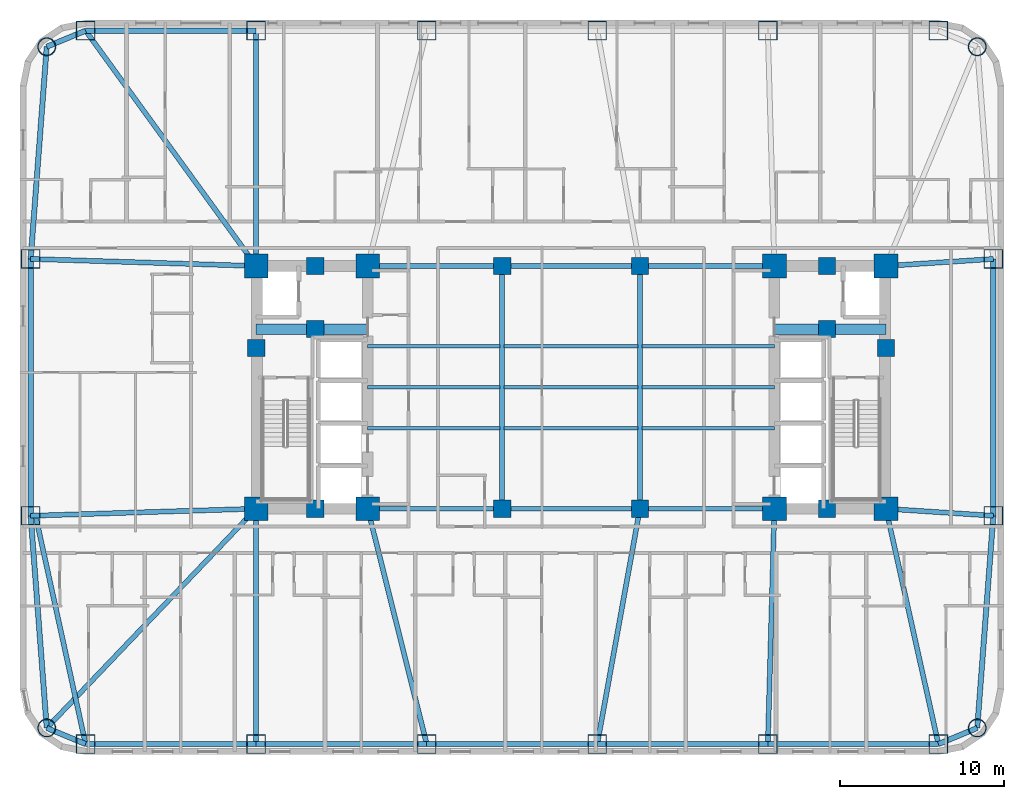
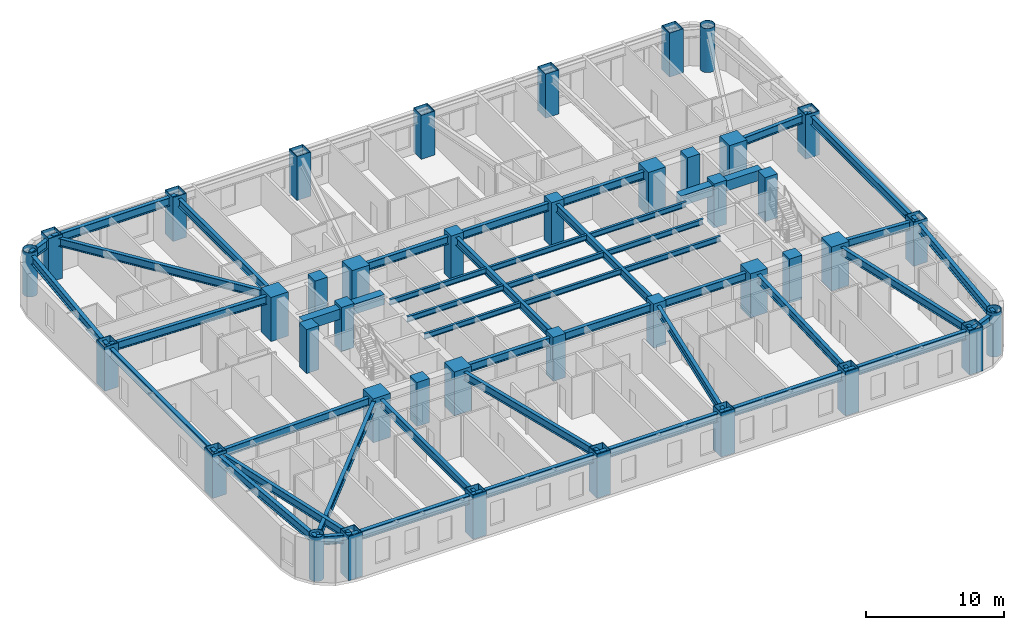
# One storey, part 1 of 11: 46 beams, 40 columns.
"""IFC4 building model written with IfcOpenShell, lengths in metres."""

from ifc_helpers import new_model, si_unit, direction, frame, origin, origin_2d, place, context, subcontext, project, spatial, rectangle, hollow_rectangle, hollow_circle, i_section, extrude, material, material_profile, profile_set, type_object, element, save


model = new_model("IFC4")

# Units and contexts
model_context = context("Model", 3, precision=1e-05, world=origin(), true_north=direction((0.0, 1.0)))
body_context = subcontext(model_context, "Body", "Model", "MODEL_VIEW")
ifc_project = project(units=[si_unit("LENGTHUNIT", "METRE"), si_unit("AREAUNIT", "SQUARE_METRE"), si_unit("VOLUMEUNIT", "CUBIC_METRE"), si_unit("PLANEANGLEUNIT", "RADIAN"), si_unit("MASSUNIT", "GRAM", prefix="KILO")], contexts=[model_context])

# Site, building, storey
site_placement = place(None, origin())
site = spatial("IfcSite", under=ifc_project, at=site_placement, CompositionType="ELEMENT")
building_placement = place(site_placement, origin())
building = spatial("IfcBuilding", under=site, at=building_placement, Name="Voryun Gate Residences", CompositionType="ELEMENT")
storey_placement = place(building_placement, frame((0.0, 0.0, 68.89990234375)))
storey = spatial("IfcBuildingStorey", under=building, at=storey_placement, Name="L16", CompositionType="ELEMENT", Elevation=68.89990234375)

# Columns
ifc_material_1 = material(Name="Concrete C50/60", Category="concrete")
ifc_material_profile_1 = material_profile(ifc_material_1, rectangle(XDim=1.050048828125, YDim=1.050048828125, at=origin_2d()), Name="RC-1050x1050")
ifc_profile_set_1 = profile_set([ifc_material_profile_1], Name="Concrete C50/60")
column_type_1 = type_object("IfcColumnType", Name="COL_CORE_1050", PredefinedType="COLUMN", material=ifc_profile_set_1)
for number, where, z_axis, x_axis, name in (
    (1, (-19.199951171875, 2.39990234375, 0.0), (0.0, 0.0, 1.0), (1.0, 0.0, 0.0), "L16 Core boundary column WC-MW"),
    (2, (-15.60009765625, -7.39990234375, 0.0), (0.0, 0.0, 1.0), (1.0, 0.0, 0.0), "L16 Core boundary column WC-SM"),
    (3, (-15.60009765625, 7.39990234375, 0.0), (0.0, 0.0, 1.0), (1.0, 0.0, 0.0), "L16 Core boundary column WC-NM"),
    (4, (-15.60009765625, 3.550048828125, 0.0), (0.0, 0.0, 1.0), (1.0, 0.0, 0.0), "L16 Core boundary column WC-MM"),
    (5, (15.60009765625, 3.550048828125, 0.0), (0.0, 0.0, 1.0), (1.0, 0.0, 0.0), "L16 Core boundary column EC-MM"),
    (6, (15.60009765625, -7.39990234375, 0.0), (0.0, 0.0, 1.0), (1.0, 0.0, 0.0), "L16 Core boundary column EC-SM"),
    (7, (15.60009765625, 7.39990234375, 0.0), (0.0, 0.0, 1.0), (1.0, 0.0, 0.0), "L16 Core boundary column EC-NM"),
    (8, (19.199951171875, 2.39990234375, 0.0), (0.0, 0.0, 1.0), (1.0, 0.0, 0.0), "L16 Core boundary column EC-ME"),
    (9, (-4.199951171875, -7.39990234375, 0.0), (0.0, 0.0, 1.0), (1.0, 0.0, 0.0), "L16 Interior spine column SP-WS"),
    (10, (-4.199951171875, 7.39990234375, 0.0), (0.0, 0.0, 1.0), (1.0, 0.0, 0.0), "L16 Interior spine column SP-WN"),
    (11, (4.199951171875, -7.39990234375, 0.0), (0.0, 0.0, 1.0), (1.0, 0.0, 0.0), "L16 Interior spine column SP-ES"),
    (12, (4.199951171875, 7.39990234375, 0.0), (0.0, 0.0, 1.0), (1.0, 0.0, 0.0), "L16 Interior spine column SP-EN"),
):
    element("IfcColumn", number, at=place(storey_placement, frame(where, z_axis=z_axis, x_axis=x_axis)), inside=storey, type_object=column_type_1, Name=name, PredefinedType="COLUMN", context=body_context, shape_type="SweptSolid", body=[
        extrude(rectangle(XDim=1.050048828125, YDim=1.050048828125, at=origin_2d()), origin(), (0.0, 0.0, 1.0), 3.900146484375),
    ])
ifc_material_2 = material(Name="Steel SM420", Category="steel")
ifc_material_profile_2 = material_profile(ifc_material_2, hollow_circle(Radius=0.550048828125, WallThickness=0.035888671875, at=origin_2d()), Name="CHS-1100x36")
ifc_profile_set_2 = profile_set([ifc_material_profile_2], Name="Steel SM420")
column_type_2 = type_object("IfcColumnType", Name="COL_CRN_1100", PredefinedType="COLUMN", material=ifc_profile_set_2)
for number, where, z_axis, x_axis, name in (
    (13, (24.768798828125, -20.768798828125, 0.0), (0.0, 0.0, 1.0), (1.0, 0.0, 0.0), "L16 Exoskeleton column CSE"),
    (14, (24.768798828125, 20.768798828125, 0.0), (0.0, 0.0, 1.0), (1.0, 0.0, 0.0), "L16 Exoskeleton column CNE"),
    (15, (-31.96875, 20.768798828125, 0.0), (0.0, 0.0, 1.0), (1.0, 0.0, 0.0), "L16 Exoskeleton column CNW"),
    (16, (-31.96875, -20.768798828125, 0.0), (0.0, 0.0, 1.0), (1.0, 0.0, 0.0), "L16 Exoskeleton column CSW"),
):
    element("IfcColumn", number, at=place(storey_placement, frame(where, z_axis=z_axis, x_axis=x_axis)), inside=storey, type_object=column_type_2, Name=name, PredefinedType="COLUMN", context=body_context, shape_type="SweptSolid", body=[
        extrude(hollow_circle(Radius=0.550048828125, WallThickness=0.035888671875, at=origin_2d()), origin(), (0.0, 0.0, 1.0), 3.900146484375),
    ])
ifc_material_3 = material(Name="Steel SM420", Category="steel")
ifc_material_profile_3 = material_profile(ifc_material_3, hollow_rectangle(XDim=1.14990234375, YDim=1.14990234375, WallThickness=0.0400390625, at=origin_2d()), Name="BOX-1150x1150x40")
ifc_profile_set_3 = profile_set([ifc_material_profile_3], Name="Steel SM420")
column_type_3 = type_object("IfcColumnType", Name="COL_EXO_B1", PredefinedType="COLUMN", material=ifc_profile_set_3)
for number, where, z_axis, x_axis, name in (
    (17, (-29.60009765625, -21.75, 0.0), (0.0, 0.0, 1.0), (1.0, 0.0, 0.0), "L16 Exoskeleton column S1"),
    (18, (-19.199951171875, -21.75, 0.0), (0.0, 0.0, 1.0), (1.0, 0.0, 0.0), "L16 Exoskeleton column S2"),
    (19, (-8.800048828125, -21.75, 0.0), (0.0, 0.0, 1.0), (1.0, 0.0, 0.0), "L16 Exoskeleton column S3"),
    (20, (1.60009765625, -21.75, 0.0), (0.0, 0.0, 1.0), (1.0, 0.0, 0.0), "L16 Exoskeleton column S4"),
    (21, (12.0, -21.75, 0.0), (0.0, 0.0, 1.0), (1.0, 0.0, 0.0), "L16 Exoskeleton column S5"),
    (22, (22.39990234375, -21.75, 0.0), (0.0, 0.0, 1.0), (1.0, 0.0, 0.0), "L16 Exoskeleton column S6"),
    (23, (25.75, -7.830078125, 0.0), (0.0, 0.0, 1.0), (1.0, 0.0, 0.0), "L16 Exoskeleton column E1"),
    (24, (25.75, 7.830078125, 0.0), (0.0, 0.0, 1.0), (1.0, 0.0, 0.0), "L16 Exoskeleton column E2"),
    (25, (22.39990234375, 21.75, 0.0), (0.0, 0.0, 1.0), (1.0, 0.0, 0.0), "L16 Exoskeleton column N1"),
    (26, (12.0, 21.75, 0.0), (0.0, 0.0, 1.0), (1.0, 0.0, 0.0), "L16 Exoskeleton column N2"),
    (27, (1.60009765625, 21.75, 0.0), (0.0, 0.0, 1.0), (1.0, 0.0, 0.0), "L16 Exoskeleton column N3"),
    (28, (-8.800048828125, 21.75, 0.0), (0.0, 0.0, 1.0), (1.0, 0.0, 0.0), "L16 Exoskeleton column N4"),
    (29, (-19.199951171875, 21.75, 0.0), (0.0, 0.0, 1.0), (1.0, 0.0, 0.0), "L16 Exoskeleton column N5"),
    (30, (-29.60009765625, 21.75, 0.0), (0.0, 0.0, 1.0), (1.0, 0.0, 0.0), "L16 Exoskeleton column N6"),
    (31, (-32.949951171875, 7.830078125, 0.0), (0.0, 0.0, 1.0), (1.0, 0.0, 0.0), "L16 Exoskeleton column W1"),
    (32, (-32.949951171875, -7.830078125, 0.0), (0.0, 0.0, 1.0), (1.0, 0.0, 0.0), "L16 Exoskeleton column W2"),
):
    element("IfcColumn", number, at=place(storey_placement, frame(where, z_axis=z_axis, x_axis=x_axis)), inside=storey, type_object=column_type_3, Name=name, PredefinedType="COLUMN", context=body_context, shape_type="SweptSolid", body=[
        extrude(hollow_rectangle(XDim=1.14990234375, YDim=1.14990234375, WallThickness=0.0400390625, at=origin_2d()), origin(), (0.0, 0.0, 1.0), 3.900146484375),
    ])
ifc_material_4 = material(Name="Concrete C60/75", Category="concrete")
ifc_material_profile_4 = material_profile(ifc_material_4, rectangle(XDim=1.449951171875, YDim=1.449951171875, at=origin_2d()), Name="RC-1450x1450")
ifc_profile_set_4 = profile_set([ifc_material_profile_4], Name="Concrete C60/75")
column_type_4 = type_object("IfcColumnType", Name="COL_MEGA_1450", PredefinedType="COLUMN", material=ifc_profile_set_4)
for number, where, z_axis, x_axis, name in (
    (33, (-19.199951171875, -7.39990234375, 0.0), (0.0, 0.0, 1.0), (1.0, 0.0, 0.0), "L16 Core boundary column WC-SW"),
    (34, (-19.199951171875, 7.39990234375, 0.0), (0.0, 0.0, 1.0), (1.0, 0.0, 0.0), "L16 Core boundary column WC-NW"),
    (35, (-12.39990234375, -7.39990234375, 0.0), (0.0, 0.0, 1.0), (1.0, 0.0, 0.0), "L16 Core boundary column WC-SE"),
    (36, (-12.39990234375, 7.39990234375, 0.0), (0.0, 0.0, 1.0), (1.0, 0.0, 0.0), "L16 Core boundary column WC-NE"),
    (37, (12.39990234375, -7.39990234375, 0.0), (0.0, 0.0, 1.0), (1.0, 0.0, 0.0), "L16 Core boundary column EC-SW"),
    (38, (12.39990234375, 7.39990234375, 0.0), (0.0, 0.0, 1.0), (1.0, 0.0, 0.0), "L16 Core boundary column EC-NW"),
    (39, (19.199951171875, -7.39990234375, 0.0), (0.0, 0.0, 1.0), (1.0, 0.0, 0.0), "L16 Core boundary column EC-SE"),
    (40, (19.199951171875, 7.39990234375, 0.0), (0.0, 0.0, 1.0), (1.0, 0.0, 0.0), "L16 Core boundary column EC-NE"),
):
    element("IfcColumn", number, at=place(storey_placement, frame(where, z_axis=z_axis, x_axis=x_axis)), inside=storey, type_object=column_type_4, Name=name, PredefinedType="COLUMN", context=body_context, shape_type="SweptSolid", body=[
        extrude(rectangle(XDim=1.449951171875, YDim=1.449951171875, at=origin_2d()), origin(), (0.0, 0.0, 1.0), 3.900146484375),
    ])

# Beams
ifc_material_5 = material(Name="Concrete C60/75", Category="concrete")
ifc_material_profile_5 = material_profile(ifc_material_5, rectangle(XDim=0.64990234375, YDim=0.89990234375, at=origin_2d()), Name="RC-650x900")
ifc_profile_set_5 = profile_set([ifc_material_profile_5], Name="Concrete C60/75")
beam_type_1 = type_object("IfcBeamType", Name="BM_COUP_RC900", PredefinedType="LINTEL", material=ifc_profile_set_5)
for number, where, z_axis, x_axis, name in (
    (41, (-19.199951171875, 3.550048828125, 3.2001953125), (1.0, 0.0, 0.0), (0.0, 1.0, 0.0), "BM-L16-WC1"),
    (42, (12.39990234375, 3.550048828125, 3.2001953125), (1.0, 0.0, 0.0), (0.0, 1.0, 0.0), "BM-L16-EC1"),
):
    element("IfcBeam", number, at=place(storey_placement, frame(where, z_axis=z_axis, x_axis=x_axis)), inside=storey, type_object=beam_type_1, Name=name, PredefinedType="LINTEL", context=body_context, shape_type="SweptSolid", body=[
        extrude(rectangle(XDim=0.64990234375, YDim=0.89990234375, at=origin_2d()), origin(), (0.0, 0.0, 1.0), 6.800048828125),
    ])
ifc_material_6 = material(Name="Steel SM355", Category="steel")
ifc_material_profile_6 = material_profile(ifc_material_6, i_section(OverallWidth=0.320068359375, OverallDepth=0.75, WebThickness=0.01611328125, FlangeThickness=0.028076171875, FilletRadius=0.01806640625, at=origin_2d()), Name="H-750x320x16x28")
ifc_profile_set_6 = profile_set([ifc_material_profile_6], Name="Steel SM355")
beam_type_2 = type_object("IfcBeamType", Name="BM_EXO_SPANDREL_L", PredefinedType="SPANDREL", material=ifc_profile_set_6)
beam_1_placement = place(storey_placement, frame((-29.60009765625, -21.75, 3.275146484375), z_axis=(1.0, 0.0, 0.0), x_axis=(0.0, 1.0, 0.0)))
element("IfcBeam", 43, at=beam_1_placement, inside=storey, type_object=beam_type_2, Name="BM-L16-SPAND-01", PredefinedType="SPANDREL", context=body_context, shape_type="SweptSolid", body=[
    extrude(i_section(OverallWidth=0.320068359375, OverallDepth=0.75, WebThickness=0.01611328125, FlangeThickness=0.028076171875, FilletRadius=0.01806640625, at=origin_2d()), origin(), (0.0, 0.0, 1.0), 10.400146484375),
])
beam_2_placement = place(storey_placement, frame((-19.199951171875, -21.75, 3.275146484375), z_axis=(1.0, 0.0, 0.0), x_axis=(0.0, 1.0, 0.0)))
element("IfcBeam", 44, at=beam_2_placement, inside=storey, type_object=beam_type_2, Name="BM-L16-SPAND-02", PredefinedType="SPANDREL", context=body_context, shape_type="SweptSolid", body=[
    extrude(i_section(OverallWidth=0.320068359375, OverallDepth=0.75, WebThickness=0.01611328125, FlangeThickness=0.028076171875, FilletRadius=0.01806640625, at=origin_2d()), origin(), (0.0, 0.0, 1.0), 10.39990234375),
])
beam_3_placement = place(storey_placement, frame((-8.800048828125, -21.75, 3.275146484375), z_axis=(1.0, 0.0, 0.0), x_axis=(0.0, 1.0, 0.0)))
element("IfcBeam", 45, at=beam_3_placement, inside=storey, type_object=beam_type_2, Name="BM-L16-SPAND-03", PredefinedType="SPANDREL", context=body_context, shape_type="SweptSolid", body=[
    extrude(i_section(OverallWidth=0.320068359375, OverallDepth=0.75, WebThickness=0.01611328125, FlangeThickness=0.028076171875, FilletRadius=0.01806640625, at=origin_2d()), origin(), (0.0, 0.0, 1.0), 10.400146484375),
])
for number, where, z_axis, x_axis, name in (
    (46, (1.60009765625, -21.75, 3.275146484375), (1.0, 0.0, 0.0), (0.0, 1.0, 0.0), "BM-L16-SPAND-04"),
    (47, (12.0, -21.75, 3.275146484375), (1.0, 0.0, 0.0), (0.0, 1.0, 0.0), "BM-L16-SPAND-05"),
):
    element("IfcBeam", number, at=place(storey_placement, frame(where, z_axis=z_axis, x_axis=x_axis)), inside=storey, type_object=beam_type_2, Name=name, PredefinedType="SPANDREL", context=body_context, shape_type="SweptSolid", body=[
        extrude(i_section(OverallWidth=0.320068359375, OverallDepth=0.75, WebThickness=0.01611328125, FlangeThickness=0.028076171875, FilletRadius=0.01806640625, at=origin_2d()), origin(), (0.0, 0.0, 1.0), 10.39990234375),
    ])
beam_4_placement = place(storey_placement, frame((22.39990234375, -21.75, 3.275146484375), z_axis=(0.923883376753, 0.382674151414, 0.0), x_axis=(-0.382674151414, 0.923883376753, 0.0)))
element("IfcBeam", 48, at=beam_4_placement, inside=storey, type_object=beam_type_2, Name="BM-L16-SPAND-06", PredefinedType="SPANDREL", context=body_context, shape_type="SweptSolid", body=[
    extrude(i_section(OverallWidth=0.320068359375, OverallDepth=0.75, WebThickness=0.01611328125, FlangeThickness=0.028076171875, FilletRadius=0.01806640625, at=origin_2d()), origin(), (0.0, 0.0, 1.0), 2.56396484375),
])
beam_5_placement = place(storey_placement, frame((24.768798828125, -20.768798828125, 3.275146484375), z_axis=(0.075617360159, 0.997136908776, 0.0), x_axis=(-0.997136908776, 0.075617360159, 0.0)))
element("IfcBeam", 49, at=beam_5_placement, inside=storey, type_object=beam_type_2, Name="BM-L16-SPAND-07", PredefinedType="SPANDREL", context=body_context, shape_type="SweptSolid", body=[
    extrude(i_section(OverallWidth=0.320068359375, OverallDepth=0.75, WebThickness=0.01611328125, FlangeThickness=0.028076171875, FilletRadius=0.01806640625, at=origin_2d()), origin(), (0.0, 0.0, 1.0), 12.975830078125),
])
beam_6_placement = place(storey_placement, frame((25.75, -7.830078125, 3.275146484375), z_axis=(0.0, 1.0, 0.0), x_axis=(-1.0, 0.0, 0.0)))
element("IfcBeam", 50, at=beam_6_placement, inside=storey, type_object=beam_type_2, Name="BM-L16-SPAND-08", PredefinedType="SPANDREL", context=body_context, shape_type="SweptSolid", body=[
    extrude(i_section(OverallWidth=0.320068359375, OverallDepth=0.75, WebThickness=0.01611328125, FlangeThickness=0.028076171875, FilletRadius=0.01806640625, at=origin_2d()), origin(), (0.0, 0.0, 1.0), 15.66015625),
])
beam_7_placement = place(storey_placement, frame((-19.199951171875, 21.75, 3.275146484375), z_axis=(-1.0, 0.0, 0.0), x_axis=(0.0, -1.0, 0.0)))
element("IfcBeam", 51, at=beam_7_placement, inside=storey, type_object=beam_type_2, Name="BM-L16-SPAND-15", PredefinedType="SPANDREL", context=body_context, shape_type="SweptSolid", body=[
    extrude(i_section(OverallWidth=0.320068359375, OverallDepth=0.75, WebThickness=0.01611328125, FlangeThickness=0.028076171875, FilletRadius=0.01806640625, at=origin_2d()), origin(), (0.0, 0.0, 1.0), 10.400146484375),
])
beam_8_placement = place(storey_placement, frame((-29.60009765625, 21.75, 3.275146484375), z_axis=(-0.92386943149, -0.382707817477, 0.0), x_axis=(0.382707817477, -0.92386943149, 0.0)))
element("IfcBeam", 52, at=beam_8_placement, inside=storey, type_object=beam_type_2, Name="BM-L16-SPAND-16", PredefinedType="SPANDREL", context=body_context, shape_type="SweptSolid", body=[
    extrude(i_section(OverallWidth=0.320068359375, OverallDepth=0.75, WebThickness=0.01611328125, FlangeThickness=0.028076171875, FilletRadius=0.01806640625, at=origin_2d()), origin(), (0.0, 0.0, 1.0), 2.563720703125),
])
beam_9_placement = place(storey_placement, frame((-31.96875, 20.768798828125, 3.275146484375), z_axis=(-0.075617360159, -0.997136908776, 0.0), x_axis=(0.997136908776, -0.075617360159, 0.0)))
element("IfcBeam", 53, at=beam_9_placement, inside=storey, type_object=beam_type_2, Name="BM-L16-SPAND-17", PredefinedType="SPANDREL", context=body_context, shape_type="SweptSolid", body=[
    extrude(i_section(OverallWidth=0.320068359375, OverallDepth=0.75, WebThickness=0.01611328125, FlangeThickness=0.028076171875, FilletRadius=0.01806640625, at=origin_2d()), origin(), (0.0, 0.0, 1.0), 12.975830078125),
])
beam_10_placement = place(storey_placement, frame((-32.949951171875, 7.830078125, 3.275146484375), z_axis=(0.0, -1.0, 0.0), x_axis=(1.0, 0.0, 0.0)))
element("IfcBeam", 54, at=beam_10_placement, inside=storey, type_object=beam_type_2, Name="BM-L16-SPAND-18", PredefinedType="SPANDREL", context=body_context, shape_type="SweptSolid", body=[
    extrude(i_section(OverallWidth=0.320068359375, OverallDepth=0.75, WebThickness=0.01611328125, FlangeThickness=0.028076171875, FilletRadius=0.01806640625, at=origin_2d()), origin(), (0.0, 0.0, 1.0), 15.66015625),
])
beam_11_placement = place(storey_placement, frame((-32.949951171875, -7.830078125, 3.275146484375), z_axis=(0.075617360159, -0.997136908776, 0.0), x_axis=(0.997136908776, 0.075617360159, 0.0)))
element("IfcBeam", 55, at=beam_11_placement, inside=storey, type_object=beam_type_2, Name="BM-L16-SPAND-19", PredefinedType="SPANDREL", context=body_context, shape_type="SweptSolid", body=[
    extrude(i_section(OverallWidth=0.320068359375, OverallDepth=0.75, WebThickness=0.01611328125, FlangeThickness=0.028076171875, FilletRadius=0.01806640625, at=origin_2d()), origin(), (0.0, 0.0, 1.0), 12.975830078125),
])
beam_12_placement = place(storey_placement, frame((-31.96875, -20.768798828125, 3.275146484375), z_axis=(0.92386943149, -0.382707817477, 0.0), x_axis=(0.382707817477, 0.92386943149, 0.0)))
element("IfcBeam", 56, at=beam_12_placement, inside=storey, type_object=beam_type_2, Name="BM-L16-SPAND-20", PredefinedType="SPANDREL", context=body_context, shape_type="SweptSolid", body=[
    extrude(i_section(OverallWidth=0.320068359375, OverallDepth=0.75, WebThickness=0.01611328125, FlangeThickness=0.028076171875, FilletRadius=0.01806640625, at=origin_2d()), origin(), (0.0, 0.0, 1.0), 2.563720703125),
])
ifc_material_7 = material(Name="Steel SM355", Category="steel")
ifc_material_profile_7 = material_profile(ifc_material_7, i_section(OverallWidth=0.300048828125, OverallDepth=0.699951171875, WebThickness=0.012939453125, FlangeThickness=0.02392578125, FilletRadius=0.01806640625, at=origin_2d()), Name="H-700x300x13x24")
ifc_profile_set_7 = profile_set([ifc_material_profile_7], Name="Steel SM355")
beam_type_3 = type_object("IfcBeamType", Name="BM_GIRD_700", PredefinedType="USERDEFINED", material=ifc_profile_set_7)
beam_13_placement = place(storey_placement, frame((-12.39990234375, -7.39990234375, 3.300048828125), z_axis=(1.0, 0.0, 0.0), x_axis=(0.0, 1.0, 0.0)))
element("IfcBeam", 57, at=beam_13_placement, inside=storey, type_object=beam_type_3, Name="BM-L16-SPG1-S", ObjectType="GIRDER", PredefinedType="USERDEFINED", context=body_context, shape_type="SweptSolid", body=[
    extrude(i_section(OverallWidth=0.300048828125, OverallDepth=0.699951171875, WebThickness=0.012939453125, FlangeThickness=0.02392578125, FilletRadius=0.01806640625, at=origin_2d()), origin(), (0.0, 0.0, 1.0), 8.199951171875),
])
beam_14_placement = place(storey_placement, frame((-4.199951171875, -7.39990234375, 3.300048828125), z_axis=(1.0, 0.0, 0.0), x_axis=(0.0, 1.0, 0.0)))
element("IfcBeam", 58, at=beam_14_placement, inside=storey, type_object=beam_type_3, Name="BM-L16-SPG2-S", ObjectType="GIRDER", PredefinedType="USERDEFINED", context=body_context, shape_type="SweptSolid", body=[
    extrude(i_section(OverallWidth=0.300048828125, OverallDepth=0.699951171875, WebThickness=0.012939453125, FlangeThickness=0.02392578125, FilletRadius=0.01806640625, at=origin_2d()), origin(), (0.0, 0.0, 1.0), 8.39990234375),
])
for number, where, z_axis, x_axis, name in (
    (59, (4.199951171875, -7.39990234375, 3.300048828125), (1.0, 0.0, 0.0), (0.0, 1.0, 0.0), "BM-L16-SPG3-S"),
    (60, (-12.39990234375, 7.39990234375, 3.300048828125), (1.0, 0.0, 0.0), (0.0, 1.0, 0.0), "BM-L16-SPG1-N"),
):
    element("IfcBeam", number, at=place(storey_placement, frame(where, z_axis=z_axis, x_axis=x_axis)), inside=storey, type_object=beam_type_3, Name=name, ObjectType="GIRDER", PredefinedType="USERDEFINED", context=body_context, shape_type="SweptSolid", body=[
        extrude(i_section(OverallWidth=0.300048828125, OverallDepth=0.699951171875, WebThickness=0.012939453125, FlangeThickness=0.02392578125, FilletRadius=0.01806640625, at=origin_2d()), origin(), (0.0, 0.0, 1.0), 8.199951171875),
    ])
beam_15_placement = place(storey_placement, frame((-4.199951171875, 7.39990234375, 3.300048828125), z_axis=(1.0, 0.0, 0.0), x_axis=(0.0, 1.0, 0.0)))
element("IfcBeam", 61, at=beam_15_placement, inside=storey, type_object=beam_type_3, Name="BM-L16-SPG2-N", ObjectType="GIRDER", PredefinedType="USERDEFINED", context=body_context, shape_type="SweptSolid", body=[
    extrude(i_section(OverallWidth=0.300048828125, OverallDepth=0.699951171875, WebThickness=0.012939453125, FlangeThickness=0.02392578125, FilletRadius=0.01806640625, at=origin_2d()), origin(), (0.0, 0.0, 1.0), 8.39990234375),
])
beam_16_placement = place(storey_placement, frame((4.199951171875, 7.39990234375, 3.300048828125), z_axis=(1.0, 0.0, 0.0), x_axis=(0.0, 1.0, 0.0)))
element("IfcBeam", 62, at=beam_16_placement, inside=storey, type_object=beam_type_3, Name="BM-L16-SPG3-N", ObjectType="GIRDER", PredefinedType="USERDEFINED", context=body_context, shape_type="SweptSolid", body=[
    extrude(i_section(OverallWidth=0.300048828125, OverallDepth=0.699951171875, WebThickness=0.012939453125, FlangeThickness=0.02392578125, FilletRadius=0.01806640625, at=origin_2d()), origin(), (0.0, 0.0, 1.0), 8.199951171875),
])
for number, where, z_axis, x_axis, name in (
    (63, (-4.199951171875, -7.39990234375, 3.300048828125), (0.0, 1.0, 0.0), (-1.0, 0.0, 0.0), "BM-L16-SPX-W"),
    (64, (4.199951171875, -7.39990234375, 3.300048828125), (0.0, 1.0, 0.0), (-1.0, 0.0, 0.0), "BM-L16-SPX-E"),
):
    element("IfcBeam", number, at=place(storey_placement, frame(where, z_axis=z_axis, x_axis=x_axis)), inside=storey, type_object=beam_type_3, Name=name, ObjectType="GIRDER", PredefinedType="USERDEFINED", context=body_context, shape_type="SweptSolid", body=[
        extrude(i_section(OverallWidth=0.300048828125, OverallDepth=0.699951171875, WebThickness=0.012939453125, FlangeThickness=0.02392578125, FilletRadius=0.01806640625, at=origin_2d()), origin(), (0.0, 0.0, 1.0), 14.7998046875),
    ])
beam_17_placement = place(storey_placement, frame((-32.64990234375, -7.830078125, 3.300048828125), z_axis=(0.214019782918, -0.976829326198, 0.0), x_axis=(0.976829326198, 0.214019782918, 0.0)))
element("IfcBeam", 65, at=beam_17_placement, inside=storey, type_object=beam_type_3, Name="BM-L16-RAD-S1", ObjectType="GIRDER", PredefinedType="USERDEFINED", context=body_context, shape_type="SweptSolid", body=[
    extrude(i_section(OverallWidth=0.300048828125, OverallDepth=0.699951171875, WebThickness=0.012939453125, FlangeThickness=0.02392578125, FilletRadius=0.01806640625, at=origin_2d()), origin(), (0.0, 0.0, 1.0), 14.25),
])
beam_18_placement = place(storey_placement, frame((-19.199951171875, -7.39990234375, 3.300048828125), z_axis=(0.0, -1.0, 0.0), x_axis=(1.0, 0.0, 0.0)))
element("IfcBeam", 66, at=beam_18_placement, inside=storey, type_object=beam_type_3, Name="BM-L16-RAD-S2", ObjectType="GIRDER", PredefinedType="USERDEFINED", context=body_context, shape_type="SweptSolid", body=[
    extrude(i_section(OverallWidth=0.300048828125, OverallDepth=0.699951171875, WebThickness=0.012939453125, FlangeThickness=0.02392578125, FilletRadius=0.01806640625, at=origin_2d()), origin(), (0.0, 0.0, 1.0), 14.35009765625),
])
beam_19_placement = place(storey_placement, frame((-12.39990234375, -7.39990234375, 3.300048828125), z_axis=(0.243319869291, -0.969946102218, 0.0), x_axis=(0.969946102218, 0.243319869291, 0.0)))
element("IfcBeam", 67, at=beam_19_placement, inside=storey, type_object=beam_type_3, Name="BM-L16-RAD-S3", ObjectType="GIRDER", PredefinedType="USERDEFINED", context=body_context, shape_type="SweptSolid", body=[
    extrude(i_section(OverallWidth=0.300048828125, OverallDepth=0.699951171875, WebThickness=0.012939453125, FlangeThickness=0.02392578125, FilletRadius=0.01806640625, at=origin_2d()), origin(), (0.0, 0.0, 1.0), 14.794677734375),
])
beam_20_placement = place(storey_placement, frame((4.199951171875, -7.39990234375, 3.300048828125), z_axis=(-0.178271088758, -0.983981411874, 0.0), x_axis=(0.983981411874, -0.178271088758, 0.0)))
element("IfcBeam", 68, at=beam_20_placement, inside=storey, type_object=beam_type_3, Name="BM-L16-RAD-S4", ObjectType="GIRDER", PredefinedType="USERDEFINED", context=body_context, shape_type="SweptSolid", body=[
    extrude(i_section(OverallWidth=0.300048828125, OverallDepth=0.699951171875, WebThickness=0.012939453125, FlangeThickness=0.02392578125, FilletRadius=0.01806640625, at=origin_2d()), origin(), (0.0, 0.0, 1.0), 14.583740234375),
])
beam_21_placement = place(storey_placement, frame((12.39990234375, -7.39990234375, 3.300048828125), z_axis=(-0.0278567548, -0.999611925305, 0.0), x_axis=(0.999611925305, -0.0278567548, 0.0)))
element("IfcBeam", 69, at=beam_21_placement, inside=storey, type_object=beam_type_3, Name="BM-L16-RAD-S5", ObjectType="GIRDER", PredefinedType="USERDEFINED", context=body_context, shape_type="SweptSolid", body=[
    extrude(i_section(OverallWidth=0.300048828125, OverallDepth=0.699951171875, WebThickness=0.012939453125, FlangeThickness=0.02392578125, FilletRadius=0.01806640625, at=origin_2d()), origin(), (0.0, 0.0, 1.0), 14.355712890625),
])
beam_22_placement = place(storey_placement, frame((19.199951171875, -7.39990234375, 3.300048828125), z_axis=(0.217645991352, -0.976027777498, 0.0), x_axis=(0.976027777498, 0.217645991352, 0.0)))
element("IfcBeam", 70, at=beam_22_placement, inside=storey, type_object=beam_type_3, Name="BM-L16-RAD-S6", ObjectType="GIRDER", PredefinedType="USERDEFINED", context=body_context, shape_type="SweptSolid", body=[
    extrude(i_section(OverallWidth=0.300048828125, OverallDepth=0.699951171875, WebThickness=0.012939453125, FlangeThickness=0.02392578125, FilletRadius=0.01806640625, at=origin_2d()), origin(), (0.0, 0.0, 1.0), 14.70263671875),
])
for number, where, z_axis, x_axis, name in (
    (71, (19.199951171875, -7.39990234375, 3.300048828125), (0.997850335415, -0.06553402255, 0.0), (0.06553402255, 0.997850335415, 0.0), "BM-L16-RAD-E1"),
    (72, (19.199951171875, 7.39990234375, 3.300048828125), (0.997850335415, 0.06553402255, 0.0), (-0.06553402255, 0.997850335415, 0.0), "BM-L16-RAD-E2"),
):
    element("IfcBeam", number, at=place(storey_placement, frame(where, z_axis=z_axis, x_axis=x_axis)), inside=storey, type_object=beam_type_3, Name=name, ObjectType="GIRDER", PredefinedType="USERDEFINED", context=body_context, shape_type="SweptSolid", body=[
        extrude(i_section(OverallWidth=0.300048828125, OverallDepth=0.699951171875, WebThickness=0.012939453125, FlangeThickness=0.02392578125, FilletRadius=0.01806640625, at=origin_2d()), origin(), (0.0, 0.0, 1.0), 6.564208984375),
    ])
beam_23_placement = place(storey_placement, frame((-19.199951171875, 7.39990234375, 3.300048828125), z_axis=(0.0, 1.0, 0.0), x_axis=(-1.0, 0.0, 0.0)))
element("IfcBeam", 73, at=beam_23_placement, inside=storey, type_object=beam_type_3, Name="BM-L16-RAD-N5", ObjectType="GIRDER", PredefinedType="USERDEFINED", context=body_context, shape_type="SweptSolid", body=[
    extrude(i_section(OverallWidth=0.300048828125, OverallDepth=0.699951171875, WebThickness=0.012939453125, FlangeThickness=0.02392578125, FilletRadius=0.01806640625, at=origin_2d()), origin(), (0.0, 0.0, 1.0), 14.35009765625),
])
beam_24_placement = place(storey_placement, frame((-19.199951171875, 7.39990234375, 3.300048828125), z_axis=(-0.586831668391, 0.80970895572, 0.0), x_axis=(-0.80970895572, -0.586831668391, 0.0)))
element("IfcBeam", 74, at=beam_24_placement, inside=storey, type_object=beam_type_3, Name="BM-L16-RAD-N6", ObjectType="GIRDER", PredefinedType="USERDEFINED", context=body_context, shape_type="SweptSolid", body=[
    extrude(i_section(OverallWidth=0.300048828125, OverallDepth=0.699951171875, WebThickness=0.012939453125, FlangeThickness=0.02392578125, FilletRadius=0.01806640625, at=origin_2d()), origin(), (0.0, 0.0, 1.0), 17.72265625),
])
for number, where, z_axis, x_axis, name in (
    (75, (-19.199951171875, 7.39990234375, 3.300048828125), (-0.999510967353, 0.031270211727, 0.0), (-0.031270211727, -0.999510967353, 0.0), "BM-L16-RAD-W1"),
    (76, (-19.199951171875, -7.39990234375, 3.300048828125), (-0.999510967353, -0.031270211727, 0.0), (0.031270211727, -0.999510967353, 0.0), "BM-L16-RAD-W2"),
):
    element("IfcBeam", number, at=place(storey_placement, frame(where, z_axis=z_axis, x_axis=x_axis)), inside=storey, type_object=beam_type_3, Name=name, ObjectType="GIRDER", PredefinedType="USERDEFINED", context=body_context, shape_type="SweptSolid", body=[
        extrude(i_section(OverallWidth=0.300048828125, OverallDepth=0.699951171875, WebThickness=0.012939453125, FlangeThickness=0.02392578125, FilletRadius=0.01806640625, at=origin_2d()), origin(), (0.0, 0.0, 1.0), 13.7568359375),
    ])
beam_25_placement = place(storey_placement, frame((-19.199951171875, -7.39990234375, 3.300048828125), z_axis=(-0.69069023987, -0.723150739852, 0.0), x_axis=(0.723150739852, -0.69069023987, 0.0)))
element("IfcBeam", 77, at=beam_25_placement, inside=storey, type_object=beam_type_3, Name="BM-L16-RAD-CSW", ObjectType="GIRDER", PredefinedType="USERDEFINED", context=body_context, shape_type="SweptSolid", body=[
    extrude(i_section(OverallWidth=0.300048828125, OverallDepth=0.699951171875, WebThickness=0.012939453125, FlangeThickness=0.02392578125, FilletRadius=0.01806640625, at=origin_2d()), origin(), (0.0, 0.0, 1.0), 18.487060546875),
])
ifc_material_8 = material(Name="Steel SM355", Category="steel")
ifc_material_profile_8 = material_profile(ifc_material_8, i_section(OverallWidth=0.199951171875, OverallDepth=0.47998046875, WebThickness=0.010009765625, FlangeThickness=0.01806640625, FilletRadius=0.01806640625, at=origin_2d()), Name="H-480x200x10x18")
ifc_profile_set_8 = profile_set([ifc_material_profile_8], Name="Steel SM355")
beam_type_4 = type_object("IfcBeamType", Name="BM_SEC_480", PredefinedType="BEAM", material=ifc_profile_set_8)
beam_26_placement = place(storey_placement, frame((-12.39990234375, -2.5, 3.41015625), z_axis=(1.0, 0.0, 0.0), x_axis=(0.0, 1.0, 0.0)))
element("IfcBeam", 78, at=beam_26_placement, inside=storey, type_object=beam_type_4, Name="BM-L16-SEC-CS1", PredefinedType="BEAM", context=body_context, shape_type="SweptSolid", body=[
    extrude(i_section(OverallWidth=0.199951171875, OverallDepth=0.47998046875, WebThickness=0.010009765625, FlangeThickness=0.01806640625, FilletRadius=0.01806640625, at=origin_2d()), origin(), (0.0, 0.0, 1.0), 8.074951171875),
])
beam_27_placement = place(storey_placement, frame((-4.074951171875, -2.5, 3.41015625), z_axis=(1.0, 0.0, 0.0), x_axis=(0.0, 1.0, 0.0)))
element("IfcBeam", 79, at=beam_27_placement, inside=storey, type_object=beam_type_4, Name="BM-L16-SEC-CS2", PredefinedType="BEAM", context=body_context, shape_type="SweptSolid", body=[
    extrude(i_section(OverallWidth=0.199951171875, OverallDepth=0.47998046875, WebThickness=0.010009765625, FlangeThickness=0.01806640625, FilletRadius=0.01806640625, at=origin_2d()), origin(), (0.0, 0.0, 1.0), 8.14990234375),
])
for number, where, z_axis, x_axis, name in (
    (80, (4.324951171875, -2.5, 3.41015625), (1.0, 0.0, 0.0), (0.0, 1.0, 0.0), "BM-L16-SEC-CS3"),
    (81, (-12.39990234375, 0.0, 3.41015625), (1.0, 0.0, 0.0), (0.0, 1.0, 0.0), "BM-L16-SEC-CM1"),
):
    element("IfcBeam", number, at=place(storey_placement, frame(where, z_axis=z_axis, x_axis=x_axis)), inside=storey, type_object=beam_type_4, Name=name, PredefinedType="BEAM", context=body_context, shape_type="SweptSolid", body=[
        extrude(i_section(OverallWidth=0.199951171875, OverallDepth=0.47998046875, WebThickness=0.010009765625, FlangeThickness=0.01806640625, FilletRadius=0.01806640625, at=origin_2d()), origin(), (0.0, 0.0, 1.0), 8.074951171875),
    ])
beam_28_placement = place(storey_placement, frame((-4.074951171875, 0.0, 3.41015625), z_axis=(1.0, 0.0, 0.0), x_axis=(0.0, 1.0, 0.0)))
element("IfcBeam", 82, at=beam_28_placement, inside=storey, type_object=beam_type_4, Name="BM-L16-SEC-CM2", PredefinedType="BEAM", context=body_context, shape_type="SweptSolid", body=[
    extrude(i_section(OverallWidth=0.199951171875, OverallDepth=0.47998046875, WebThickness=0.010009765625, FlangeThickness=0.01806640625, FilletRadius=0.01806640625, at=origin_2d()), origin(), (0.0, 0.0, 1.0), 8.14990234375),
])
for number, where, z_axis, x_axis, name in (
    (83, (4.324951171875, 0.0, 3.41015625), (1.0, 0.0, 0.0), (0.0, 1.0, 0.0), "BM-L16-SEC-CM3"),
    (84, (-12.39990234375, 2.5, 3.41015625), (1.0, 0.0, 0.0), (0.0, 1.0, 0.0), "BM-L16-SEC-CN1"),
):
    element("IfcBeam", number, at=place(storey_placement, frame(where, z_axis=z_axis, x_axis=x_axis)), inside=storey, type_object=beam_type_4, Name=name, PredefinedType="BEAM", context=body_context, shape_type="SweptSolid", body=[
        extrude(i_section(OverallWidth=0.199951171875, OverallDepth=0.47998046875, WebThickness=0.010009765625, FlangeThickness=0.01806640625, FilletRadius=0.01806640625, at=origin_2d()), origin(), (0.0, 0.0, 1.0), 8.074951171875),
    ])
beam_29_placement = place(storey_placement, frame((-4.074951171875, 2.5, 3.41015625), z_axis=(1.0, 0.0, 0.0), x_axis=(0.0, 1.0, 0.0)))
element("IfcBeam", 85, at=beam_29_placement, inside=storey, type_object=beam_type_4, Name="BM-L16-SEC-CN2", PredefinedType="BEAM", context=body_context, shape_type="SweptSolid", body=[
    extrude(i_section(OverallWidth=0.199951171875, OverallDepth=0.47998046875, WebThickness=0.010009765625, FlangeThickness=0.01806640625, FilletRadius=0.01806640625, at=origin_2d()), origin(), (0.0, 0.0, 1.0), 8.14990234375),
])
beam_30_placement = place(storey_placement, frame((4.324951171875, 2.5, 3.41015625), z_axis=(1.0, 0.0, 0.0), x_axis=(0.0, 1.0, 0.0)))
element("IfcBeam", 86, at=beam_30_placement, inside=storey, type_object=beam_type_4, Name="BM-L16-SEC-CN3", PredefinedType="BEAM", context=body_context, shape_type="SweptSolid", body=[
    extrude(i_section(OverallWidth=0.199951171875, OverallDepth=0.47998046875, WebThickness=0.010009765625, FlangeThickness=0.01806640625, FilletRadius=0.01806640625, at=origin_2d()), origin(), (0.0, 0.0, 1.0), 8.074951171875),
])

save(model, "model.ifc")
